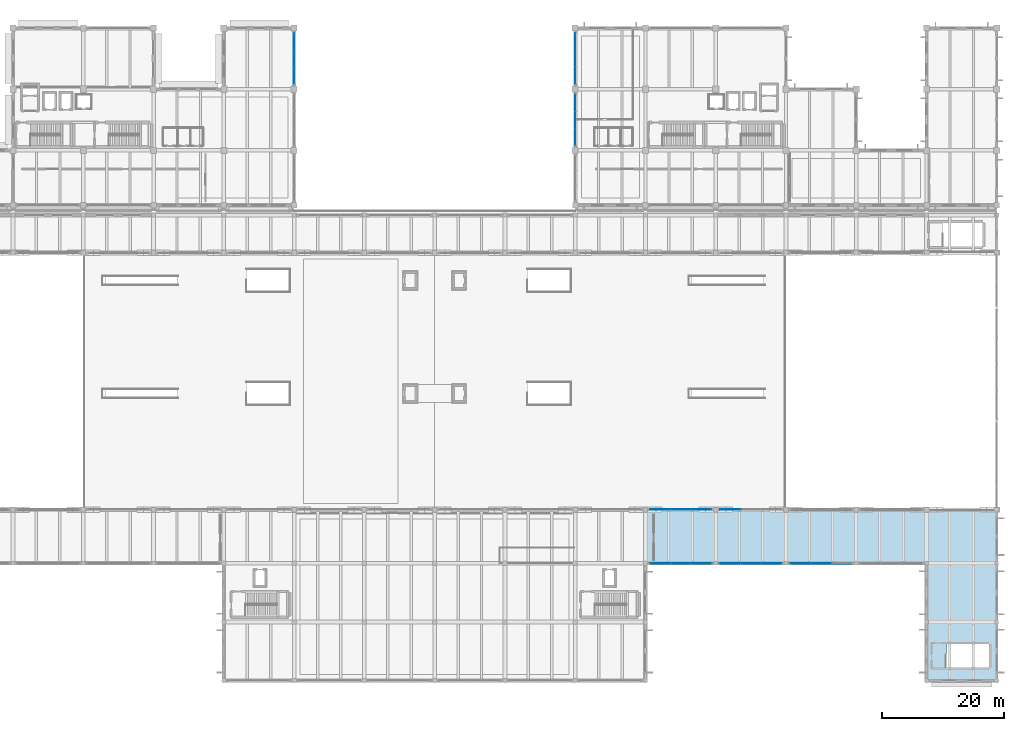
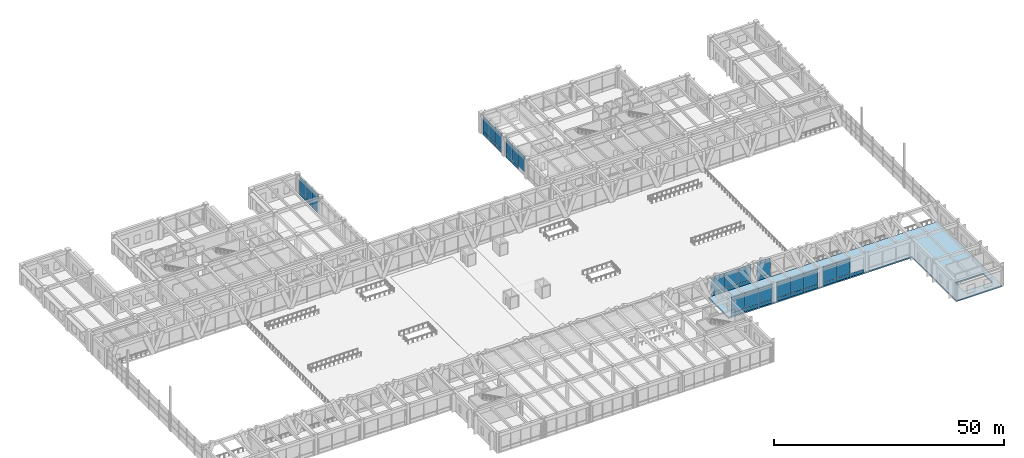
# One storey, part 120 of 148: 63 plates, 1 slab, 8 elements without a shape of their own.
"""IFC4 building model written with IfcOpenShell, lengths in metres."""

from ifc_helpers import new_model, si_unit, direction, frame, origin, origin_2d, place, context, subcontext, project, spatial, polyline, rectangle, outline, extrude, material, layer, layer_set, type_object, element, aggregate, save


model = new_model("IFC4")

# Units and contexts
model_context = context("Model", 3, precision=1e-05, world=origin(), true_north=direction((0.0, 1.0)))
body_context = subcontext(model_context, "Body", "Model", "MODEL_VIEW")
ifc_project = project(units=[si_unit("LENGTHUNIT", "METRE"), si_unit("AREAUNIT", "SQUARE_METRE"), si_unit("VOLUMEUNIT", "CUBIC_METRE"), si_unit("PLANEANGLEUNIT", "RADIAN"), si_unit("MASSUNIT", "GRAM", prefix="KILO")], contexts=[model_context])

# Site, building, storey
site_placement = place(None, origin())
site = spatial("IfcSite", under=ifc_project, at=site_placement, CompositionType="ELEMENT")
building_placement = place(site_placement, origin())
building = spatial("IfcBuilding", under=site, at=building_placement, Name="Ologun Quay Terminus", CompositionType="ELEMENT")
storey_placement = place(building_placement, frame((0.0, 0.0, 8.39990234375)))
storey = spatial("IfcBuildingStorey", under=building, at=storey_placement, Name="L02", CompositionType="ELEMENT", Elevation=8.39990234375)

# Curtain wall, plates
ifc_material_1 = material(Name="Aluminium 6063-T6", Category="aluminium")
curtain_wall_type_1 = type_object("IfcCurtainWallType", Name="Rain-Garden West Courtyard Curtain Wall L02 8200x5000", PredefinedType="USERDEFINED", material=ifc_material_1)
curtain_wall_1_placement = place(storey_placement, origin())
curtain_wall_1 = element("IfcCurtainWall", 1, at=curtain_wall_1_placement, inside=storey, type_object=curtain_wall_type_1, Name="CW-15 Curtain Wall CW-L02-107", ObjectType="UNITISED CURTAIN WALL", PredefinedType="USERDEFINED")
ifc_material_2 = material(Name="Aluminium 6063-T6", Category="aluminium")
ifc_layer_1 = layer(ifc_material_2, 0.06005859375)
ifc_layer_set_1 = layer_set([ifc_layer_1], Name="Aluminium 6063-T6")
plate_type_1 = type_object("IfcPlateType", Name="Anodised Bronze Spandrel Panel 60", PredefinedType="CURTAIN_PANEL", material=ifc_layer_set_1)
plate_1_placement = place(storey_placement, frame((69.0, 107.046630859375, 0.0302734375), z_axis=(0.0, 0.0, 1.0), x_axis=(0.0, 1.0, 0.0)))
plate_1 = element("IfcPlate", 2, at=plate_1_placement, type_object=plate_type_1, Name="CW-L02-107 Panel B1-1", PredefinedType="CURTAIN_PANEL", context=body_context, shape_type="SweptSolid", body=[
    extrude(rectangle(XDim=2.75341796875, YDim=0.06005859375, at=origin_2d()), origin(), (0.0, 0.0, 1.0), 0.840087890625),
])
plate_2_placement = place(storey_placement, frame((69.0, 109.800048828125, 0.0302734375), z_axis=(0.0, 0.0, 1.0), x_axis=(0.0, 1.0, 0.0)))
plate_2 = element("IfcPlate", 3, at=plate_2_placement, type_object=plate_type_1, Name="CW-L02-107 Panel B2-1", PredefinedType="CURTAIN_PANEL", context=body_context, shape_type="SweptSolid", body=[
    extrude(rectangle(XDim=2.75341796875, YDim=0.06005859375, at=origin_2d()), origin(), (0.0, 0.0, 1.0), 0.840087890625),
])
plate_3_placement = place(storey_placement, frame((69.0, 112.55322265625, 0.0302734375), z_axis=(0.0, 0.0, 1.0), x_axis=(0.0, 1.0, 0.0)))
plate_3 = element("IfcPlate", 4, at=plate_3_placement, type_object=plate_type_1, Name="CW-L02-107 Panel B3-1", PredefinedType="CURTAIN_PANEL", context=body_context, shape_type="SweptSolid", body=[
    extrude(rectangle(XDim=2.75341796875, YDim=0.06005859375, at=origin_2d()), origin(), (0.0, 0.0, 1.0), 0.840087890625),
])

# Slab
ifc_material_3 = material(Name="Concrete C40/50", Category="concrete")
ifc_layer_2 = layer(ifc_material_3, 0.35009765625)
ifc_layer_set_2 = layer_set([ifc_layer_2], Name="Concrete C40/50")
slab_type = type_object("IfcSlabType", Name="Elevated Concourse Deck Slab 350", PredefinedType="FLOOR", material=ifc_layer_set_2)
slab_placement = place(storey_placement, frame((0.0, 0.0, -0.349853515625)))
element("IfcSlab", 5, at=slab_placement, inside=storey, type_object=slab_type, Name="SL-CON South Concourse Slab 3", PredefinedType="FLOOR", context=body_context, shape_type="SweptSolid", body=[
    extrude(outline(polyline([(126.5, 27.199951171875), (172.5, 27.199951171875), (172.5, 8.0), (184.0, 8.0), (184.0, 36.0), (126.5, 36.0), (126.5, 27.199951171875)]), holes=[polyline([(175.72998046875, 10.199951171875), (175.72998046875, 14.0), (182.75, 14.0), (182.75, 10.199951171875), (175.72998046875, 10.199951171875)])]), origin(), (0.0, 0.0, 1.0), 0.349853515625),
])

# Plate
ifc_material_4 = material(Name="Glass", Category="glass")
ifc_layer_3 = layer(ifc_material_4, 0.035888671875)
ifc_layer_set_3 = layer_set([ifc_layer_3], Name="Glass")
plate_type_2 = type_object("IfcPlateType", Name="High-Selectivity Harbour Glazed Panel 36", PredefinedType="CURTAIN_PANEL", material=ifc_layer_set_3)
plate_4_placement = place(storey_placement, frame((69.0, 107.046630859375, 0.93017578125), z_axis=(0.0, 0.0, 1.0), x_axis=(0.0, 1.0, 0.0)))
plate_4 = element("IfcPlate", 6, at=plate_4_placement, type_object=plate_type_2, Name="CW-L02-107 Panel B1-2", PredefinedType="CURTAIN_PANEL", context=body_context, shape_type="SweptSolid", body=[
    extrude(rectangle(XDim=2.75341796875, YDim=0.035888671875, at=origin_2d()), origin(), (0.0, 0.0, 1.0), 3.469970703125),
])

plate_5_placement = place(storey_placement, frame((69.0, 107.046630859375, 4.4599609375), z_axis=(0.0, 0.0, 1.0), x_axis=(0.0, 1.0, 0.0)))
plate_5 = element("IfcPlate", 7, at=plate_5_placement, type_object=plate_type_2, Name="CW-L02-107 Panel B1-3", PredefinedType="CURTAIN_PANEL", context=body_context, shape_type="SweptSolid", body=[
    extrude(rectangle(XDim=2.75341796875, YDim=0.035888671875, at=origin_2d()), origin(), (0.0, 0.0, 1.0), 0.639892578125),
])

plate_6_placement = place(storey_placement, frame((69.0, 109.800048828125, 0.93017578125), z_axis=(0.0, 0.0, 1.0), x_axis=(0.0, 1.0, 0.0)))
plate_6 = element("IfcPlate", 8, at=plate_6_placement, type_object=plate_type_2, Name="CW-L02-107 Panel B2-2", PredefinedType="CURTAIN_PANEL", context=body_context, shape_type="SweptSolid", body=[
    extrude(rectangle(XDim=2.75341796875, YDim=0.035888671875, at=origin_2d()), origin(), (0.0, 0.0, 1.0), 3.469970703125),
])

plate_7_placement = place(storey_placement, frame((69.0, 109.800048828125, 4.4599609375), z_axis=(0.0, 0.0, 1.0), x_axis=(0.0, 1.0, 0.0)))
plate_7 = element("IfcPlate", 9, at=plate_7_placement, type_object=plate_type_2, Name="CW-L02-107 Panel B2-3", PredefinedType="CURTAIN_PANEL", context=body_context, shape_type="SweptSolid", body=[
    extrude(rectangle(XDim=2.75341796875, YDim=0.035888671875, at=origin_2d()), origin(), (0.0, 0.0, 1.0), 0.639892578125),
])

plate_8_placement = place(storey_placement, frame((69.0, 112.55322265625, 0.93017578125), z_axis=(0.0, 0.0, 1.0), x_axis=(0.0, 1.0, 0.0)))
plate_8 = element("IfcPlate", 10, at=plate_8_placement, type_object=plate_type_2, Name="CW-L02-107 Panel B3-2", PredefinedType="CURTAIN_PANEL", context=body_context, shape_type="SweptSolid", body=[
    extrude(rectangle(XDim=2.75341796875, YDim=0.035888671875, at=origin_2d()), origin(), (0.0, 0.0, 1.0), 3.469970703125),
])

plate_9_placement = place(storey_placement, frame((69.0, 112.55322265625, 4.4599609375), z_axis=(0.0, 0.0, 1.0), x_axis=(0.0, 1.0, 0.0)))
plate_9 = element("IfcPlate", 11, at=plate_9_placement, type_object=plate_type_2, Name="CW-L02-107 Panel B3-3", PredefinedType="CURTAIN_PANEL", context=body_context, shape_type="SweptSolid", body=[
    extrude(rectangle(XDim=2.75341796875, YDim=0.035888671875, at=origin_2d()), origin(), (0.0, 0.0, 1.0), 0.639892578125),
])

aggregate(curtain_wall_1, [plate_1, plate_4, plate_5, plate_2, plate_6, plate_7, plate_3, plate_8, plate_9])

# Curtain wall, plates
ifc_material_5 = material(Name="Aluminium 6063-T6", Category="aluminium")
curtain_wall_type_2 = type_object("IfcCurtainWallType", Name="Rain-Garden East Courtyard Curtain Wall L02 9200x5000", PredefinedType="USERDEFINED", material=ifc_material_5)
curtain_wall_2_placement = place(storey_placement, origin())
curtain_wall_2 = element("IfcCurtainWall", 12, at=curtain_wall_2_placement, inside=storey, type_object=curtain_wall_type_2, Name="CW-19 Curtain Wall CW-L02-136", ObjectType="UNITISED CURTAIN WALL", PredefinedType="USERDEFINED")
plate_10_placement = place(storey_placement, frame((115.0, 97.046630859375, 0.93017578125), z_axis=(0.0, 0.0, 1.0), x_axis=(0.0, 1.0, 0.0)))
plate_10 = element("IfcPlate", 13, at=plate_10_placement, type_object=plate_type_2, Name="CW-L02-136 Panel B1-2", PredefinedType="CURTAIN_PANEL", context=body_context, shape_type="SweptSolid", body=[
    extrude(rectangle(XDim=2.75341796875, YDim=0.035888671875, at=origin_2d()), origin(), (0.0, 0.0, 1.0), 3.469970703125),
])
plate_11_placement = place(storey_placement, frame((115.0, 97.046630859375, 4.4599609375), z_axis=(0.0, 0.0, 1.0), x_axis=(0.0, 1.0, 0.0)))
plate_11 = element("IfcPlate", 14, at=plate_11_placement, type_object=plate_type_2, Name="CW-L02-136 Panel B1-3", PredefinedType="CURTAIN_PANEL", context=body_context, shape_type="SweptSolid", body=[
    extrude(rectangle(XDim=2.75341796875, YDim=0.035888671875, at=origin_2d()), origin(), (0.0, 0.0, 1.0), 0.639892578125),
])
plate_12_placement = place(storey_placement, frame((115.0, 99.800048828125, 0.93017578125), z_axis=(0.0, 0.0, 1.0), x_axis=(0.0, 1.0, 0.0)))
plate_12 = element("IfcPlate", 15, at=plate_12_placement, type_object=plate_type_2, Name="CW-L02-136 Panel B2-2", PredefinedType="CURTAIN_PANEL", context=body_context, shape_type="SweptSolid", body=[
    extrude(rectangle(XDim=2.75341796875, YDim=0.035888671875, at=origin_2d()), origin(), (0.0, 0.0, 1.0), 3.469970703125),
])
plate_13_placement = place(storey_placement, frame((115.0, 99.800048828125, 4.4599609375), z_axis=(0.0, 0.0, 1.0), x_axis=(0.0, 1.0, 0.0)))
plate_13 = element("IfcPlate", 16, at=plate_13_placement, type_object=plate_type_2, Name="CW-L02-136 Panel B2-3", PredefinedType="CURTAIN_PANEL", context=body_context, shape_type="SweptSolid", body=[
    extrude(rectangle(XDim=2.75341796875, YDim=0.035888671875, at=origin_2d()), origin(), (0.0, 0.0, 1.0), 0.639892578125),
])
plate_14_placement = place(storey_placement, frame((115.0, 102.55322265625, 0.93017578125), z_axis=(0.0, 0.0, 1.0), x_axis=(0.0, 1.0, 0.0)))
plate_14 = element("IfcPlate", 17, at=plate_14_placement, type_object=plate_type_2, Name="CW-L02-136 Panel B3-2", PredefinedType="CURTAIN_PANEL", context=body_context, shape_type="SweptSolid", body=[
    extrude(rectangle(XDim=2.75341796875, YDim=0.035888671875, at=origin_2d()), origin(), (0.0, 0.0, 1.0), 3.469970703125),
])
plate_15_placement = place(storey_placement, frame((115.0, 102.55322265625, 4.4599609375), z_axis=(0.0, 0.0, 1.0), x_axis=(0.0, 1.0, 0.0)))
plate_15 = element("IfcPlate", 18, at=plate_15_placement, type_object=plate_type_2, Name="CW-L02-136 Panel B3-3", PredefinedType="CURTAIN_PANEL", context=body_context, shape_type="SweptSolid", body=[
    extrude(rectangle(XDim=2.75341796875, YDim=0.035888671875, at=origin_2d()), origin(), (0.0, 0.0, 1.0), 0.639892578125),
])

curtain_wall_3_placement = place(storey_placement, origin())
curtain_wall_3 = element("IfcCurtainWall", 19, at=curtain_wall_3_placement, inside=storey, type_object=curtain_wall_type_2, Name="CW-19 Curtain Wall CW-L02-137", ObjectType="UNITISED CURTAIN WALL", PredefinedType="USERDEFINED")
plate_16_placement = place(storey_placement, frame((115.0, 107.046630859375, 0.93017578125), z_axis=(0.0, 0.0, 1.0), x_axis=(0.0, 1.0, 0.0)))
plate_16 = element("IfcPlate", 20, at=plate_16_placement, type_object=plate_type_2, Name="CW-L02-137 Panel B1-2", PredefinedType="CURTAIN_PANEL", context=body_context, shape_type="SweptSolid", body=[
    extrude(rectangle(XDim=2.75341796875, YDim=0.035888671875, at=origin_2d()), origin(), (0.0, 0.0, 1.0), 3.469970703125),
])
plate_17_placement = place(storey_placement, frame((115.0, 107.046630859375, 4.4599609375), z_axis=(0.0, 0.0, 1.0), x_axis=(0.0, 1.0, 0.0)))
plate_17 = element("IfcPlate", 21, at=plate_17_placement, type_object=plate_type_2, Name="CW-L02-137 Panel B1-3", PredefinedType="CURTAIN_PANEL", context=body_context, shape_type="SweptSolid", body=[
    extrude(rectangle(XDim=2.75341796875, YDim=0.035888671875, at=origin_2d()), origin(), (0.0, 0.0, 1.0), 0.639892578125),
])
plate_18_placement = place(storey_placement, frame((115.0, 109.800048828125, 0.93017578125), z_axis=(0.0, 0.0, 1.0), x_axis=(0.0, 1.0, 0.0)))
plate_18 = element("IfcPlate", 22, at=plate_18_placement, type_object=plate_type_2, Name="CW-L02-137 Panel B2-2", PredefinedType="CURTAIN_PANEL", context=body_context, shape_type="SweptSolid", body=[
    extrude(rectangle(XDim=2.75341796875, YDim=0.035888671875, at=origin_2d()), origin(), (0.0, 0.0, 1.0), 3.469970703125),
])
plate_19_placement = place(storey_placement, frame((115.0, 109.800048828125, 4.4599609375), z_axis=(0.0, 0.0, 1.0), x_axis=(0.0, 1.0, 0.0)))
plate_19 = element("IfcPlate", 23, at=plate_19_placement, type_object=plate_type_2, Name="CW-L02-137 Panel B2-3", PredefinedType="CURTAIN_PANEL", context=body_context, shape_type="SweptSolid", body=[
    extrude(rectangle(XDim=2.75341796875, YDim=0.035888671875, at=origin_2d()), origin(), (0.0, 0.0, 1.0), 0.639892578125),
])
plate_20_placement = place(storey_placement, frame((115.0, 112.55322265625, 0.93017578125), z_axis=(0.0, 0.0, 1.0), x_axis=(0.0, 1.0, 0.0)))
plate_20 = element("IfcPlate", 24, at=plate_20_placement, type_object=plate_type_2, Name="CW-L02-137 Panel B3-2", PredefinedType="CURTAIN_PANEL", context=body_context, shape_type="SweptSolid", body=[
    extrude(rectangle(XDim=2.75341796875, YDim=0.035888671875, at=origin_2d()), origin(), (0.0, 0.0, 1.0), 3.469970703125),
])
plate_21_placement = place(storey_placement, frame((115.0, 112.55322265625, 4.4599609375), z_axis=(0.0, 0.0, 1.0), x_axis=(0.0, 1.0, 0.0)))
plate_21 = element("IfcPlate", 25, at=plate_21_placement, type_object=plate_type_2, Name="CW-L02-137 Panel B3-3", PredefinedType="CURTAIN_PANEL", context=body_context, shape_type="SweptSolid", body=[
    extrude(rectangle(XDim=2.75341796875, YDim=0.035888671875, at=origin_2d()), origin(), (0.0, 0.0, 1.0), 0.639892578125),
])

ifc_material_6 = material(Name="Aluminium 6063-T6", Category="aluminium")
curtain_wall_type_3 = type_object("IfcCurtainWallType", Name="Concourse Departure Curtain Wall 10700x4950", PredefinedType="USERDEFINED", material=ifc_material_6)
curtain_wall_4_placement = place(storey_placement, origin())
curtain_wall_4 = element("IfcCurtainWall", 26, at=curtain_wall_4_placement, inside=storey, type_object=curtain_wall_type_3, Name="CW-05 Curtain Wall CW-L02-030", ObjectType="UNITISED CURTAIN WALL", PredefinedType="USERDEFINED")
ifc_material_7 = material(Name="Aluminium 6063-T6", Category="aluminium")
ifc_layer_4 = layer(ifc_material_7, 0.050048828125)
ifc_layer_set_4 = layer_set([ifc_layer_4], Name="Aluminium 6063-T6")
plate_type_3 = type_object("IfcPlateType", Name="Insulated Aluminium Shadow-Box Spandrel 50", PredefinedType="CURTAIN_PANEL", material=ifc_layer_set_4)
plate_22_placement = place(storey_placement, frame((128.92578125, 27.199951171875, 0.0302734375), z_axis=(0.0, 0.0, 1.0), x_axis=(1.0, 0.0, 0.0)))
plate_22 = element("IfcPlate", 27, at=plate_22_placement, type_object=plate_type_3, Name="CW-L02-030 Panel B1-1", PredefinedType="CURTAIN_PANEL", context=body_context, shape_type="SweptSolid", body=[
    extrude(rectangle(XDim=3.36181640625, YDim=0.050048828125, at=origin_2d()), origin(), (0.0, 0.0, 1.0), 0.840087890625),
])
plate_23_placement = place(storey_placement, frame((132.28759765625, 27.199951171875, 0.0302734375), z_axis=(0.0, 0.0, 1.0), x_axis=(1.0, 0.0, 0.0)))
plate_23 = element("IfcPlate", 28, at=plate_23_placement, type_object=plate_type_3, Name="CW-L02-030 Panel B2-1", PredefinedType="CURTAIN_PANEL", context=body_context, shape_type="SweptSolid", body=[
    extrude(rectangle(XDim=3.36181640625, YDim=0.050048828125, at=origin_2d()), origin(), (0.0, 0.0, 1.0), 0.840087890625),
])
plate_24_placement = place(storey_placement, frame((135.649169921875, 27.199951171875, 0.0302734375), z_axis=(0.0, 0.0, 1.0), x_axis=(1.0, 0.0, 0.0)))
plate_24 = element("IfcPlate", 29, at=plate_24_placement, type_object=plate_type_3, Name="CW-L02-030 Panel B3-1", PredefinedType="CURTAIN_PANEL", context=body_context, shape_type="SweptSolid", body=[
    extrude(rectangle(XDim=3.36181640625, YDim=0.050048828125, at=origin_2d()), origin(), (0.0, 0.0, 1.0), 0.840087890625),
])

curtain_wall_5_placement = place(storey_placement, origin())
curtain_wall_5 = element("IfcCurtainWall", 30, at=curtain_wall_5_placement, inside=storey, type_object=curtain_wall_type_3, Name="CW-05 Curtain Wall CW-L02-031", ObjectType="UNITISED CURTAIN WALL", PredefinedType="USERDEFINED")
plate_25_placement = place(storey_placement, frame((140.36328125, 27.199951171875, 0.0302734375), z_axis=(0.0, 0.0, 1.0), x_axis=(1.0, 0.0, 0.0)))
plate_25 = element("IfcPlate", 31, at=plate_25_placement, type_object=plate_type_3, Name="CW-L02-031 Panel B1-1", PredefinedType="CURTAIN_PANEL", context=body_context, shape_type="SweptSolid", body=[
    extrude(rectangle(XDim=3.38671875, YDim=0.050048828125, at=origin_2d()), origin(), (0.0, 0.0, 1.0), 0.840087890625),
])
plate_26_placement = place(storey_placement, frame((143.75, 27.199951171875, 0.0302734375), z_axis=(0.0, 0.0, 1.0), x_axis=(1.0, 0.0, 0.0)))
plate_26 = element("IfcPlate", 32, at=plate_26_placement, type_object=plate_type_3, Name="CW-L02-031 Panel B2-1", PredefinedType="CURTAIN_PANEL", context=body_context, shape_type="SweptSolid", body=[
    extrude(rectangle(XDim=3.38671875, YDim=0.050048828125, at=origin_2d()), origin(), (0.0, 0.0, 1.0), 0.840087890625),
])
plate_27_placement = place(storey_placement, frame((147.13671875, 27.199951171875, 0.0302734375), z_axis=(0.0, 0.0, 1.0), x_axis=(1.0, 0.0, 0.0)))
plate_27 = element("IfcPlate", 33, at=plate_27_placement, type_object=plate_type_3, Name="CW-L02-031 Panel B3-1", PredefinedType="CURTAIN_PANEL", context=body_context, shape_type="SweptSolid", body=[
    extrude(rectangle(XDim=3.38671875, YDim=0.050048828125, at=origin_2d()), origin(), (0.0, 0.0, 1.0), 0.840087890625),
])

curtain_wall_6_placement = place(storey_placement, origin())
curtain_wall_6 = element("IfcCurtainWall", 34, at=curtain_wall_6_placement, inside=storey, type_object=curtain_wall_type_3, Name="CW-05 Curtain Wall CW-L02-032", ObjectType="UNITISED CURTAIN WALL", PredefinedType="USERDEFINED")
plate_28_placement = place(storey_placement, frame((151.86328125, 27.199951171875, 0.0302734375), z_axis=(0.0, 0.0, 1.0), x_axis=(1.0, 0.0, 0.0)))
plate_28 = element("IfcPlate", 35, at=plate_28_placement, type_object=plate_type_3, Name="CW-L02-032 Panel B1-1", PredefinedType="CURTAIN_PANEL", context=body_context, shape_type="SweptSolid", body=[
    extrude(rectangle(XDim=3.38671875, YDim=0.050048828125, at=origin_2d()), origin(), (0.0, 0.0, 1.0), 0.840087890625),
])
plate_29_placement = place(storey_placement, frame((155.25, 27.199951171875, 0.0302734375), z_axis=(0.0, 0.0, 1.0), x_axis=(1.0, 0.0, 0.0)))
plate_29 = element("IfcPlate", 36, at=plate_29_placement, type_object=plate_type_3, Name="CW-L02-032 Panel B2-1", PredefinedType="CURTAIN_PANEL", context=body_context, shape_type="SweptSolid", body=[
    extrude(rectangle(XDim=3.38671875, YDim=0.050048828125, at=origin_2d()), origin(), (0.0, 0.0, 1.0), 0.840087890625),
])
plate_30_placement = place(storey_placement, frame((158.63671875, 27.199951171875, 0.0302734375), z_axis=(0.0, 0.0, 1.0), x_axis=(1.0, 0.0, 0.0)))
plate_30 = element("IfcPlate", 37, at=plate_30_placement, type_object=plate_type_3, Name="CW-L02-032 Panel B3-1", PredefinedType="CURTAIN_PANEL", context=body_context, shape_type="SweptSolid", body=[
    extrude(rectangle(XDim=3.38671875, YDim=0.050048828125, at=origin_2d()), origin(), (0.0, 0.0, 1.0), 0.840087890625),
])

ifc_material_8 = material(Name="Aluminium 6063-T6", Category="aluminium")
curtain_wall_type_4 = type_object("IfcCurtainWallType", Name="Train Shed South Clerestory Curtain Wall 10700x5050", PredefinedType="USERDEFINED", material=ifc_material_8)
curtain_wall_7_placement = place(storey_placement, origin())
curtain_wall_7 = element("IfcCurtainWall", 38, at=curtain_wall_7_placement, inside=storey, type_object=curtain_wall_type_4, Name="CW-08 Curtain Wall CW-L02-066", ObjectType="UNITISED CURTAIN WALL", PredefinedType="USERDEFINED")
plate_31_placement = place(storey_placement, frame((128.913330078125, 36.0, 0.0302734375), z_axis=(0.0, 0.0, 1.0), x_axis=(1.0, 0.0, 0.0)))
plate_31 = element("IfcPlate", 39, at=plate_31_placement, type_object=plate_type_3, Name="CW-L02-066 Panel B1-1", PredefinedType="CURTAIN_PANEL", context=body_context, shape_type="SweptSolid", body=[
    extrude(rectangle(XDim=3.336669921875, YDim=0.050048828125, at=origin_2d()), origin(), (0.0, 0.0, 1.0), 0.840087890625),
])
plate_32_placement = place(storey_placement, frame((132.25, 36.0, 0.0302734375), z_axis=(0.0, 0.0, 1.0), x_axis=(1.0, 0.0, 0.0)))
plate_32 = element("IfcPlate", 40, at=plate_32_placement, type_object=plate_type_3, Name="CW-L02-066 Panel B2-1", PredefinedType="CURTAIN_PANEL", context=body_context, shape_type="SweptSolid", body=[
    extrude(rectangle(XDim=3.336669921875, YDim=0.050048828125, at=origin_2d()), origin(), (0.0, 0.0, 1.0), 0.840087890625),
])
plate_33_placement = place(storey_placement, frame((135.586669921875, 36.0, 0.0302734375), z_axis=(0.0, 0.0, 1.0), x_axis=(1.0, 0.0, 0.0)))
plate_33 = element("IfcPlate", 41, at=plate_33_placement, type_object=plate_type_3, Name="CW-L02-066 Panel B3-1", PredefinedType="CURTAIN_PANEL", context=body_context, shape_type="SweptSolid", body=[
    extrude(rectangle(XDim=3.336669921875, YDim=0.050048828125, at=origin_2d()), origin(), (0.0, 0.0, 1.0), 0.840087890625),
])

# Curtain wall, plate
curtain_wall_8_placement = place(storey_placement, origin())
curtain_wall_8 = element("IfcCurtainWall", 42, at=curtain_wall_8_placement, inside=storey, type_object=curtain_wall_type_4, Name="CW-08 Curtain Wall CW-L02-068", ObjectType="UNITISED CURTAIN WALL", PredefinedType="USERDEFINED")
plate_34_placement = place(storey_placement, frame((140.413330078125, 36.0, 0.0302734375), z_axis=(0.0, 0.0, 1.0), x_axis=(1.0, 0.0, 0.0)))
plate_34 = element("IfcPlate", 43, at=plate_34_placement, type_object=plate_type_3, Name="CW-L02-068 Panel B1-1", PredefinedType="CURTAIN_PANEL", context=body_context, shape_type="SweptSolid", body=[
    extrude(rectangle(XDim=3.336669921875, YDim=0.050048828125, at=origin_2d()), origin(), (0.0, 0.0, 1.0), 0.840087890625),
])

# Plate
plate_35_placement = place(storey_placement, frame((115.0, 99.800048828125, 0.0302734375), z_axis=(0.0, 0.0, 1.0), x_axis=(0.0, 1.0, 0.0)))
plate_35 = element("IfcPlate", 44, at=plate_35_placement, type_object=plate_type_3, Name="CW-L02-136 Panel B2-1", PredefinedType="CURTAIN_PANEL", context=body_context, shape_type="SweptSolid", body=[
    extrude(rectangle(XDim=2.75341796875, YDim=0.050048828125, at=origin_2d()), origin(), (0.0, 0.0, 1.0), 0.840087890625),
])

plate_36_placement = place(storey_placement, frame((115.0, 102.55322265625, 0.0302734375), z_axis=(0.0, 0.0, 1.0), x_axis=(0.0, 1.0, 0.0)))
plate_36 = element("IfcPlate", 45, at=plate_36_placement, type_object=plate_type_3, Name="CW-L02-136 Panel B3-1", PredefinedType="CURTAIN_PANEL", context=body_context, shape_type="SweptSolid", body=[
    extrude(rectangle(XDim=2.75341796875, YDim=0.050048828125, at=origin_2d()), origin(), (0.0, 0.0, 1.0), 0.840087890625),
])

aggregate(curtain_wall_2, [plate_10, plate_11, plate_35, plate_12, plate_13, plate_36, plate_14, plate_15])

plate_37_placement = place(storey_placement, frame((115.0, 107.046630859375, 0.0302734375), z_axis=(0.0, 0.0, 1.0), x_axis=(0.0, 1.0, 0.0)))
plate_37 = element("IfcPlate", 46, at=plate_37_placement, type_object=plate_type_3, Name="CW-L02-137 Panel B1-1", PredefinedType="CURTAIN_PANEL", context=body_context, shape_type="SweptSolid", body=[
    extrude(rectangle(XDim=2.75341796875, YDim=0.050048828125, at=origin_2d()), origin(), (0.0, 0.0, 1.0), 0.840087890625),
])

plate_38_placement = place(storey_placement, frame((115.0, 109.800048828125, 0.0302734375), z_axis=(0.0, 0.0, 1.0), x_axis=(0.0, 1.0, 0.0)))
plate_38 = element("IfcPlate", 47, at=plate_38_placement, type_object=plate_type_3, Name="CW-L02-137 Panel B2-1", PredefinedType="CURTAIN_PANEL", context=body_context, shape_type="SweptSolid", body=[
    extrude(rectangle(XDim=2.75341796875, YDim=0.050048828125, at=origin_2d()), origin(), (0.0, 0.0, 1.0), 0.840087890625),
])

plate_39_placement = place(storey_placement, frame((115.0, 112.55322265625, 0.0302734375), z_axis=(0.0, 0.0, 1.0), x_axis=(0.0, 1.0, 0.0)))
plate_39 = element("IfcPlate", 48, at=plate_39_placement, type_object=plate_type_3, Name="CW-L02-137 Panel B3-1", PredefinedType="CURTAIN_PANEL", context=body_context, shape_type="SweptSolid", body=[
    extrude(rectangle(XDim=2.75341796875, YDim=0.050048828125, at=origin_2d()), origin(), (0.0, 0.0, 1.0), 0.840087890625),
])

aggregate(curtain_wall_3, [plate_37, plate_16, plate_17, plate_38, plate_18, plate_19, plate_39, plate_20, plate_21])

ifc_material_9 = material(Name="Glass", Category="glass")
ifc_layer_5 = layer(ifc_material_9, 0.028076171875)
ifc_layer_set_5 = layer_set([ifc_layer_5], Name="Glass")
plate_type_4 = type_object("IfcPlateType", Name="Solar-Control Double Glazed Panel 28", PredefinedType="CURTAIN_PANEL", material=ifc_layer_set_5)
plate_40_placement = place(storey_placement, frame((128.92578125, 27.199951171875, 0.93017578125), z_axis=(0.0, 0.0, 1.0), x_axis=(1.0, 0.0, 0.0)))
plate_40 = element("IfcPlate", 49, at=plate_40_placement, type_object=plate_type_4, Name="CW-L02-030 Panel B1-2", PredefinedType="CURTAIN_PANEL", context=body_context, shape_type="SweptSolid", body=[
    extrude(rectangle(XDim=3.36181640625, YDim=0.028076171875, at=origin_2d()), origin(), (0.0, 0.0, 1.0), 3.47998046875),
])

plate_41_placement = place(storey_placement, frame((128.92578125, 27.199951171875, 4.47021484375), z_axis=(0.0, 0.0, 1.0), x_axis=(1.0, 0.0, 0.0)))
plate_41 = element("IfcPlate", 50, at=plate_41_placement, type_object=plate_type_4, Name="CW-L02-030 Panel B1-3", PredefinedType="CURTAIN_PANEL", context=body_context, shape_type="SweptSolid", body=[
    extrude(rectangle(XDim=3.36181640625, YDim=0.028076171875, at=origin_2d()), origin(), (0.0, 0.0, 1.0), 0.639892578125),
])

plate_42_placement = place(storey_placement, frame((132.28759765625, 27.199951171875, 0.93017578125), z_axis=(0.0, 0.0, 1.0), x_axis=(1.0, 0.0, 0.0)))
plate_42 = element("IfcPlate", 51, at=plate_42_placement, type_object=plate_type_4, Name="CW-L02-030 Panel B2-2", PredefinedType="CURTAIN_PANEL", context=body_context, shape_type="SweptSolid", body=[
    extrude(rectangle(XDim=3.36181640625, YDim=0.028076171875, at=origin_2d()), origin(), (0.0, 0.0, 1.0), 3.47998046875),
])

plate_43_placement = place(storey_placement, frame((132.28759765625, 27.199951171875, 4.47021484375), z_axis=(0.0, 0.0, 1.0), x_axis=(1.0, 0.0, 0.0)))
plate_43 = element("IfcPlate", 52, at=plate_43_placement, type_object=plate_type_4, Name="CW-L02-030 Panel B2-3", PredefinedType="CURTAIN_PANEL", context=body_context, shape_type="SweptSolid", body=[
    extrude(rectangle(XDim=3.36181640625, YDim=0.028076171875, at=origin_2d()), origin(), (0.0, 0.0, 1.0), 0.639892578125),
])

plate_44_placement = place(storey_placement, frame((135.649169921875, 27.199951171875, 0.93017578125), z_axis=(0.0, 0.0, 1.0), x_axis=(1.0, 0.0, 0.0)))
plate_44 = element("IfcPlate", 53, at=plate_44_placement, type_object=plate_type_4, Name="CW-L02-030 Panel B3-2", PredefinedType="CURTAIN_PANEL", context=body_context, shape_type="SweptSolid", body=[
    extrude(rectangle(XDim=3.36181640625, YDim=0.028076171875, at=origin_2d()), origin(), (0.0, 0.0, 1.0), 3.47998046875),
])

plate_45_placement = place(storey_placement, frame((135.649169921875, 27.199951171875, 4.47021484375), z_axis=(0.0, 0.0, 1.0), x_axis=(1.0, 0.0, 0.0)))
plate_45 = element("IfcPlate", 54, at=plate_45_placement, type_object=plate_type_4, Name="CW-L02-030 Panel B3-3", PredefinedType="CURTAIN_PANEL", context=body_context, shape_type="SweptSolid", body=[
    extrude(rectangle(XDim=3.36181640625, YDim=0.028076171875, at=origin_2d()), origin(), (0.0, 0.0, 1.0), 0.639892578125),
])

aggregate(curtain_wall_4, [plate_22, plate_40, plate_41, plate_23, plate_42, plate_43, plate_24, plate_44, plate_45])

plate_46_placement = place(storey_placement, frame((140.36328125, 27.199951171875, 0.93017578125), z_axis=(0.0, 0.0, 1.0), x_axis=(1.0, 0.0, 0.0)))
plate_46 = element("IfcPlate", 55, at=plate_46_placement, type_object=plate_type_4, Name="CW-L02-031 Panel B1-2", PredefinedType="CURTAIN_PANEL", context=body_context, shape_type="SweptSolid", body=[
    extrude(rectangle(XDim=3.38671875, YDim=0.028076171875, at=origin_2d()), origin(), (0.0, 0.0, 1.0), 3.47998046875),
])

plate_47_placement = place(storey_placement, frame((140.36328125, 27.199951171875, 4.47021484375), z_axis=(0.0, 0.0, 1.0), x_axis=(1.0, 0.0, 0.0)))
plate_47 = element("IfcPlate", 56, at=plate_47_placement, type_object=plate_type_4, Name="CW-L02-031 Panel B1-3", PredefinedType="CURTAIN_PANEL", context=body_context, shape_type="SweptSolid", body=[
    extrude(rectangle(XDim=3.38671875, YDim=0.028076171875, at=origin_2d()), origin(), (0.0, 0.0, 1.0), 0.639892578125),
])

plate_48_placement = place(storey_placement, frame((143.75, 27.199951171875, 0.93017578125), z_axis=(0.0, 0.0, 1.0), x_axis=(1.0, 0.0, 0.0)))
plate_48 = element("IfcPlate", 57, at=plate_48_placement, type_object=plate_type_4, Name="CW-L02-031 Panel B2-2", PredefinedType="CURTAIN_PANEL", context=body_context, shape_type="SweptSolid", body=[
    extrude(rectangle(XDim=3.38671875, YDim=0.028076171875, at=origin_2d()), origin(), (0.0, 0.0, 1.0), 3.47998046875),
])

plate_49_placement = place(storey_placement, frame((143.75, 27.199951171875, 4.47021484375), z_axis=(0.0, 0.0, 1.0), x_axis=(1.0, 0.0, 0.0)))
plate_49 = element("IfcPlate", 58, at=plate_49_placement, type_object=plate_type_4, Name="CW-L02-031 Panel B2-3", PredefinedType="CURTAIN_PANEL", context=body_context, shape_type="SweptSolid", body=[
    extrude(rectangle(XDim=3.38671875, YDim=0.028076171875, at=origin_2d()), origin(), (0.0, 0.0, 1.0), 0.639892578125),
])

plate_50_placement = place(storey_placement, frame((147.13671875, 27.199951171875, 0.93017578125), z_axis=(0.0, 0.0, 1.0), x_axis=(1.0, 0.0, 0.0)))
plate_50 = element("IfcPlate", 59, at=plate_50_placement, type_object=plate_type_4, Name="CW-L02-031 Panel B3-2", PredefinedType="CURTAIN_PANEL", context=body_context, shape_type="SweptSolid", body=[
    extrude(rectangle(XDim=3.38671875, YDim=0.028076171875, at=origin_2d()), origin(), (0.0, 0.0, 1.0), 3.47998046875),
])

plate_51_placement = place(storey_placement, frame((147.13671875, 27.199951171875, 4.47021484375), z_axis=(0.0, 0.0, 1.0), x_axis=(1.0, 0.0, 0.0)))
plate_51 = element("IfcPlate", 60, at=plate_51_placement, type_object=plate_type_4, Name="CW-L02-031 Panel B3-3", PredefinedType="CURTAIN_PANEL", context=body_context, shape_type="SweptSolid", body=[
    extrude(rectangle(XDim=3.38671875, YDim=0.028076171875, at=origin_2d()), origin(), (0.0, 0.0, 1.0), 0.639892578125),
])

aggregate(curtain_wall_5, [plate_25, plate_46, plate_47, plate_26, plate_48, plate_49, plate_27, plate_50, plate_51])

plate_52_placement = place(storey_placement, frame((151.86328125, 27.199951171875, 0.93017578125), z_axis=(0.0, 0.0, 1.0), x_axis=(1.0, 0.0, 0.0)))
plate_52 = element("IfcPlate", 61, at=plate_52_placement, type_object=plate_type_4, Name="CW-L02-032 Panel B1-2", PredefinedType="CURTAIN_PANEL", context=body_context, shape_type="SweptSolid", body=[
    extrude(rectangle(XDim=3.38671875, YDim=0.028076171875, at=origin_2d()), origin(), (0.0, 0.0, 1.0), 3.47998046875),
])

plate_53_placement = place(storey_placement, frame((151.86328125, 27.199951171875, 4.47021484375), z_axis=(0.0, 0.0, 1.0), x_axis=(1.0, 0.0, 0.0)))
plate_53 = element("IfcPlate", 62, at=plate_53_placement, type_object=plate_type_4, Name="CW-L02-032 Panel B1-3", PredefinedType="CURTAIN_PANEL", context=body_context, shape_type="SweptSolid", body=[
    extrude(rectangle(XDim=3.38671875, YDim=0.028076171875, at=origin_2d()), origin(), (0.0, 0.0, 1.0), 0.639892578125),
])

plate_54_placement = place(storey_placement, frame((155.25, 27.199951171875, 0.93017578125), z_axis=(0.0, 0.0, 1.0), x_axis=(1.0, 0.0, 0.0)))
plate_54 = element("IfcPlate", 63, at=plate_54_placement, type_object=plate_type_4, Name="CW-L02-032 Panel B2-2", PredefinedType="CURTAIN_PANEL", context=body_context, shape_type="SweptSolid", body=[
    extrude(rectangle(XDim=3.38671875, YDim=0.028076171875, at=origin_2d()), origin(), (0.0, 0.0, 1.0), 3.47998046875),
])

plate_55_placement = place(storey_placement, frame((155.25, 27.199951171875, 4.47021484375), z_axis=(0.0, 0.0, 1.0), x_axis=(1.0, 0.0, 0.0)))
plate_55 = element("IfcPlate", 64, at=plate_55_placement, type_object=plate_type_4, Name="CW-L02-032 Panel B2-3", PredefinedType="CURTAIN_PANEL", context=body_context, shape_type="SweptSolid", body=[
    extrude(rectangle(XDim=3.38671875, YDim=0.028076171875, at=origin_2d()), origin(), (0.0, 0.0, 1.0), 0.639892578125),
])

aggregate(curtain_wall_6, [plate_28, plate_52, plate_53, plate_29, plate_54, plate_55, plate_30])

plate_56_placement = place(storey_placement, frame((128.913330078125, 36.0, 0.93017578125), z_axis=(0.0, 0.0, 1.0), x_axis=(1.0, 0.0, 0.0)))
plate_56 = element("IfcPlate", 65, at=plate_56_placement, type_object=plate_type_4, Name="CW-L02-066 Panel B1-2", PredefinedType="CURTAIN_PANEL", context=body_context, shape_type="SweptSolid", body=[
    extrude(rectangle(XDim=3.336669921875, YDim=0.028076171875, at=origin_2d()), origin(), (0.0, 0.0, 1.0), 3.43994140625),
])

plate_57_placement = place(storey_placement, frame((128.913330078125, 36.0, 4.43017578125), z_axis=(0.0, 0.0, 1.0), x_axis=(1.0, 0.0, 0.0)))
plate_57 = element("IfcPlate", 66, at=plate_57_placement, type_object=plate_type_4, Name="CW-L02-066 Panel B1-3", PredefinedType="CURTAIN_PANEL", context=body_context, shape_type="SweptSolid", body=[
    extrude(rectangle(XDim=3.336669921875, YDim=0.028076171875, at=origin_2d()), origin(), (0.0, 0.0, 1.0), 0.639892578125),
])

plate_58_placement = place(storey_placement, frame((132.25, 36.0, 0.93017578125), z_axis=(0.0, 0.0, 1.0), x_axis=(1.0, 0.0, 0.0)))
plate_58 = element("IfcPlate", 67, at=plate_58_placement, type_object=plate_type_4, Name="CW-L02-066 Panel B2-2", PredefinedType="CURTAIN_PANEL", context=body_context, shape_type="SweptSolid", body=[
    extrude(rectangle(XDim=3.336669921875, YDim=0.028076171875, at=origin_2d()), origin(), (0.0, 0.0, 1.0), 3.43994140625),
])

plate_59_placement = place(storey_placement, frame((132.25, 36.0, 4.43017578125), z_axis=(0.0, 0.0, 1.0), x_axis=(1.0, 0.0, 0.0)))
plate_59 = element("IfcPlate", 68, at=plate_59_placement, type_object=plate_type_4, Name="CW-L02-066 Panel B2-3", PredefinedType="CURTAIN_PANEL", context=body_context, shape_type="SweptSolid", body=[
    extrude(rectangle(XDim=3.336669921875, YDim=0.028076171875, at=origin_2d()), origin(), (0.0, 0.0, 1.0), 0.639892578125),
])

plate_60_placement = place(storey_placement, frame((135.586669921875, 36.0, 0.93017578125), z_axis=(0.0, 0.0, 1.0), x_axis=(1.0, 0.0, 0.0)))
plate_60 = element("IfcPlate", 69, at=plate_60_placement, type_object=plate_type_4, Name="CW-L02-066 Panel B3-2", PredefinedType="CURTAIN_PANEL", context=body_context, shape_type="SweptSolid", body=[
    extrude(rectangle(XDim=3.336669921875, YDim=0.028076171875, at=origin_2d()), origin(), (0.0, 0.0, 1.0), 3.43994140625),
])

plate_61_placement = place(storey_placement, frame((135.586669921875, 36.0, 4.43017578125), z_axis=(0.0, 0.0, 1.0), x_axis=(1.0, 0.0, 0.0)))
plate_61 = element("IfcPlate", 70, at=plate_61_placement, type_object=plate_type_4, Name="CW-L02-066 Panel B3-3", PredefinedType="CURTAIN_PANEL", context=body_context, shape_type="SweptSolid", body=[
    extrude(rectangle(XDim=3.336669921875, YDim=0.028076171875, at=origin_2d()), origin(), (0.0, 0.0, 1.0), 0.639892578125),
])

aggregate(curtain_wall_7, [plate_31, plate_56, plate_57, plate_32, plate_58, plate_59, plate_33, plate_60, plate_61])

plate_62_placement = place(storey_placement, frame((140.413330078125, 36.0, 0.93017578125), z_axis=(0.0, 0.0, 1.0), x_axis=(1.0, 0.0, 0.0)))
plate_62 = element("IfcPlate", 71, at=plate_62_placement, type_object=plate_type_4, Name="CW-L02-068 Panel B1-2", PredefinedType="CURTAIN_PANEL", context=body_context, shape_type="SweptSolid", body=[
    extrude(rectangle(XDim=3.336669921875, YDim=0.028076171875, at=origin_2d()), origin(), (0.0, 0.0, 1.0), 3.43994140625),
])

plate_63_placement = place(storey_placement, frame((140.413330078125, 36.0, 4.43017578125), z_axis=(0.0, 0.0, 1.0), x_axis=(1.0, 0.0, 0.0)))
plate_63 = element("IfcPlate", 72, at=plate_63_placement, type_object=plate_type_4, Name="CW-L02-068 Panel B1-3", PredefinedType="CURTAIN_PANEL", context=body_context, shape_type="SweptSolid", body=[
    extrude(rectangle(XDim=3.336669921875, YDim=0.028076171875, at=origin_2d()), origin(), (0.0, 0.0, 1.0), 0.639892578125),
])

aggregate(curtain_wall_8, [plate_34, plate_62, plate_63])

save(model, "model.ifc")
